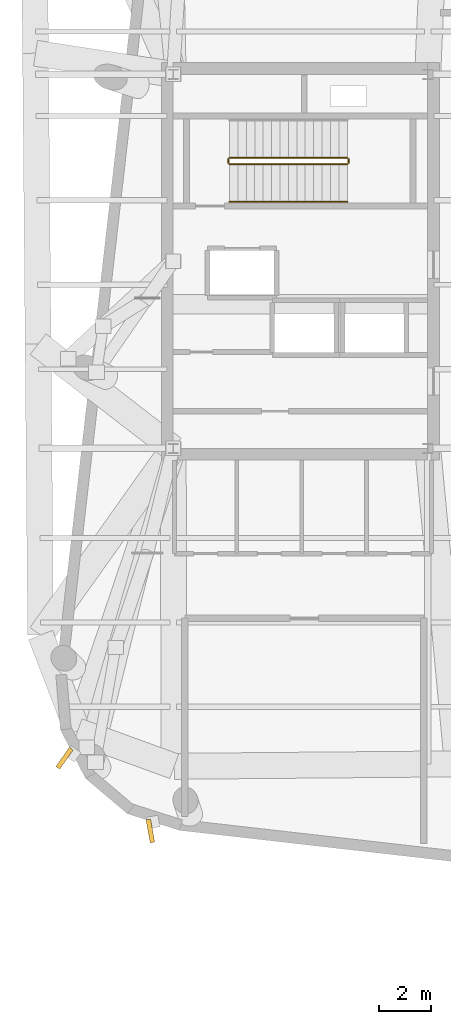
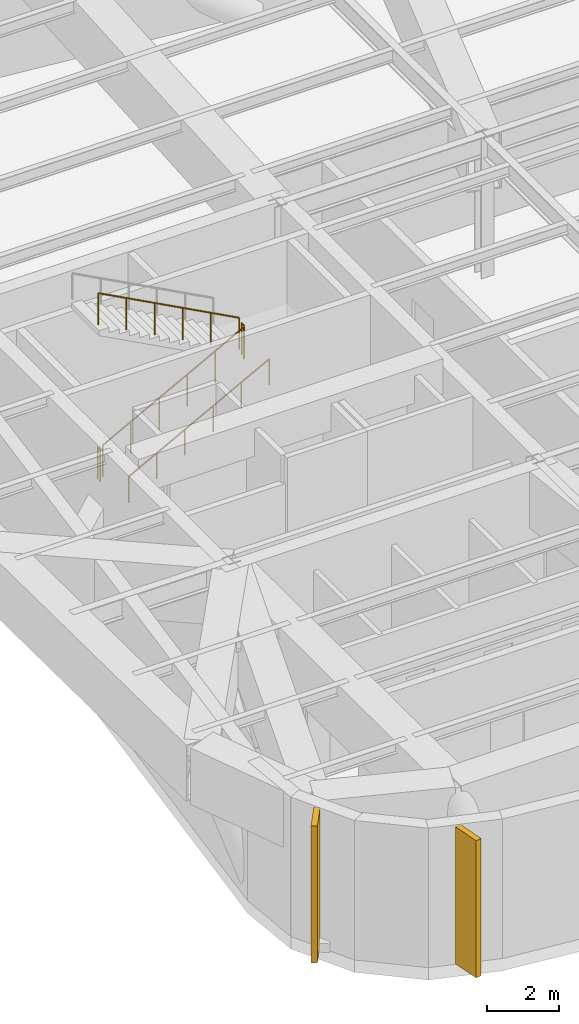
# One storey, part 10 of 12: 5 railings, 2 shading devices.
"""IFC4 building model written with IfcOpenShell, lengths in metres."""

from ifc_helpers import new_model, si_unit, direction, frame, origin, origin_2d, place, context, subcontext, project, spatial, rectangle, circle, extrude, material, type_object, element, save


model = new_model("IFC4")

# Units and contexts
model_context = context("Model", 3, precision=1e-05, world=origin(), true_north=direction((0.0, 1.0)))
body_context = subcontext(model_context, "Body", "Model", "MODEL_VIEW")
ifc_project = project(units=[si_unit("LENGTHUNIT", "METRE"), si_unit("AREAUNIT", "SQUARE_METRE"), si_unit("VOLUMEUNIT", "CUBIC_METRE"), si_unit("PLANEANGLEUNIT", "RADIAN"), si_unit("MASSUNIT", "GRAM", prefix="KILO")], contexts=[model_context])

# Site, building, storey
site_placement = place(None, origin())
site = spatial("IfcSite", under=ifc_project, at=site_placement, CompositionType="ELEMENT")
building_placement = place(site_placement, origin())
building = spatial("IfcBuilding", under=site, at=building_placement, Name="Kolvaren Arena Tower", CompositionType="ELEMENT")
storey_placement = place(building_placement, frame((0.0, 0.0, 269.699951171875)))
storey = spatial("IfcBuildingStorey", under=building, at=storey_placement, Name="L66", CompositionType="ELEMENT", Elevation=269.699951171875)

# Railings
ifc_material_1 = material(Name="Painted galvanized steel", Category="steel")
railing_type_1 = type_object("IfcRailingType", Name="GUARD-ST-110", PredefinedType="GUARDRAIL", material=ifc_material_1)
railing_1_placement = place(storey_placement, frame((16.719970703125, 30.389892578125, 0.17333984375)))
element("IfcRailing", 1, at=railing_1_placement, inside=storey, type_object=railing_type_1, Name="L66 ST-W1 stair guard 1", PredefinedType="GUARDRAIL", context=body_context, shape_type="SweptSolid", body=[
    extrude(circle(Radius=0.02392578125, at=origin_2d()), frame((0.0, 0.0, 1.076171875), z_axis=(0.88174791909, 0.0, 0.471720899664), x_axis=(0.0, 1.0, 0.0)), (0.0, 0.0, 1.0), 5.14453125),
    extrude(circle(Radius=0.02099609375, at=origin_2d()), origin(), (0.0, 0.0, 1.0), 1.052001953125),
    extrude(circle(Radius=0.02099609375, at=origin_2d()), frame((0.9072265625, 0.0, 0.4853515625)), (0.0, 0.0, 1.0), 1.052001953125),
    extrude(circle(Radius=0.02099609375, at=origin_2d()), frame((1.814453125, 0.0, 0.970703125)), (0.0, 0.0, 1.0), 1.052001953125),
    extrude(circle(Radius=0.02099609375, at=origin_2d()), frame((2.7216796875, 0.0, 1.4560546875)), (0.0, 0.0, 1.0), 1.052001953125),
    extrude(circle(Radius=0.02099609375, at=origin_2d()), frame((3.62890625, 0.0, 1.94140625)), (0.0, 0.0, 1.0), 1.052001953125),
    extrude(circle(Radius=0.02099609375, at=origin_2d()), frame((4.5361328125, 0.0, 2.4267578125)), (0.0, 0.0, 1.0), 1.052001953125),
])
railing_2_placement = place(storey_placement, frame((21.305908203125, 30.43994140625, 2.60009765625)))
element("IfcRailing", 2, at=railing_2_placement, inside=storey, type_object=railing_type_1, Name="L66 ST-W1 stair guard 2", PredefinedType="GUARDRAIL", context=body_context, shape_type="SweptSolid", body=[
    extrude(circle(Radius=0.02392578125, at=origin_2d()), frame((0.0, 0.0, 1.076171875), z_axis=(0.0, 1.0, 0.0), x_axis=(-1.0, 0.0, 0.0)), (0.0, 0.0, 1.0), 0.150146484375),
    extrude(circle(Radius=0.02099609375, at=origin_2d()), origin(), (0.0, 0.0, 1.0), 1.052001953125),
    extrude(circle(Radius=0.02099609375, at=origin_2d()), frame((0.0, 0.150146484375, 0.0)), (0.0, 0.0, 1.0), 1.052001953125),
])
railing_3_placement = place(storey_placement, frame((21.256103515625, 30.639892578125, 2.7734375)))
element("IfcRailing", 3, at=railing_3_placement, inside=storey, type_object=railing_type_1, Name="L66 ST-W1 stair guard 3", PredefinedType="GUARDRAIL", context=body_context, shape_type="SweptSolid", body=[
    extrude(circle(Radius=0.02392578125, at=origin_2d()), frame((0.0, 0.0, 1.076171875), z_axis=(-0.881767657903, 0.0, 0.471684001717), x_axis=(0.0, -1.0, 0.0)), (0.0, 0.0, 1.0), 5.144287109375),
    extrude(circle(Radius=0.02099609375, at=origin_2d()), origin(), (0.0, 0.0, 1.0), 1.052001953125),
    extrude(circle(Radius=0.02099609375, at=origin_2d()), frame((-0.9072265625, 0.0, 0.4853515625)), (0.0, 0.0, 1.0), 1.052001953125),
    extrude(circle(Radius=0.02099609375, at=origin_2d()), frame((-1.814453125, 0.0, 0.970703125)), (0.0, 0.0, 1.0), 1.052001953125),
    extrude(circle(Radius=0.02099609375, at=origin_2d()), frame((-2.7216796875, 0.0, 1.455810546875)), (0.0, 0.0, 1.0), 1.052001953125),
    extrude(circle(Radius=0.02099609375, at=origin_2d()), frame((-3.62890625, 0.0, 1.941162109375)), (0.0, 0.0, 1.0), 1.052001953125),
    extrude(circle(Radius=0.02099609375, at=origin_2d()), frame((-4.5361328125, 0.0, 2.426513671875)), (0.0, 0.0, 1.0), 1.052001953125),
])
railing_4_placement = place(storey_placement, frame((16.669921875, 30.43994140625, 0.0)))
element("IfcRailing", 4, at=railing_4_placement, inside=storey, type_object=railing_type_1, Name="L66 ST-W1 stair guard 4", PredefinedType="GUARDRAIL", context=body_context, shape_type="SweptSolid", body=[
    extrude(circle(Radius=0.02392578125, at=origin_2d()), frame((0.0, 0.0, 1.076171875), z_axis=(0.0, 1.0, 0.0), x_axis=(-1.0, 0.0, 0.0)), (0.0, 0.0, 1.0), 0.150146484375),
    extrude(circle(Radius=0.02099609375, at=origin_2d()), origin(), (0.0, 0.0, 1.0), 1.052001953125),
    extrude(circle(Radius=0.02099609375, at=origin_2d()), frame((0.0, 0.150146484375, 0.0)), (0.0, 0.0, 1.0), 1.052001953125),
])
ifc_material_2 = material(Name="Brushed stainless steel handrail", Category="steel")
railing_type_2 = type_object("IfcRailingType", Name="HRAIL-900", PredefinedType="HANDRAIL", material=ifc_material_2)
railing_5_placement = place(storey_placement, frame((16.719970703125, 28.949951171875, 0.17333984375)))
element("IfcRailing", 5, at=railing_5_placement, inside=storey, type_object=railing_type_2, Name="L66 ST-W1 stair handrail 1", PredefinedType="HANDRAIL", context=body_context, shape_type="SweptSolid", body=[
    extrude(circle(Radius=0.02392578125, at=origin_2d()), frame((0.0, 0.0, 0.8759765625), z_axis=(0.88174791909, 0.0, 0.471720899664), x_axis=(0.0, 1.0, 0.0)), (0.0, 0.0, 1.0), 5.14453125),
    extrude(circle(Radius=0.02099609375, at=origin_2d()), origin(), (0.0, 0.0, 1.0), 0.851806640625),
    extrude(circle(Radius=0.02099609375, at=origin_2d()), frame((0.9072265625, 0.0, 0.4853515625)), (0.0, 0.0, 1.0), 0.851806640625),
    extrude(circle(Radius=0.02099609375, at=origin_2d()), frame((1.814453125, 0.0, 0.970703125)), (0.0, 0.0, 1.0), 0.851806640625),
    extrude(circle(Radius=0.02099609375, at=origin_2d()), frame((2.7216796875, 0.0, 1.4560546875)), (0.0, 0.0, 1.0), 0.851806640625),
    extrude(circle(Radius=0.02099609375, at=origin_2d()), frame((3.62890625, 0.0, 1.94140625)), (0.0, 0.0, 1.0), 0.851806640625),
    extrude(circle(Radius=0.02099609375, at=origin_2d()), frame((4.5361328125, 0.0, 2.4267578125)), (0.0, 0.0, 1.0), 0.851806640625),
])

# Shading devices
ifc_material_3 = material(Name="Precast architectural concrete C50/60 rib fin", Category="concrete")
shading_device_type = type_object("IfcShadingDeviceType", Name="SHAD-FIN-28", PredefinedType="USERDEFINED", material=ifc_material_3)
for number, where, z_axis, x_axis, name in (
    (6, (10.369140625, 7.52001953125, 0.02001953125), (0.0, 0.0, 1.0), (-0.569965213199, -0.821668823641, 0.0), "Precast 28-Deg Corner Rib Fin (L66)"),
    (7, (13.67333984375, 4.722900390625, 0.02001953125), (0.0, 0.0, 1.0), (0.177965872603, -0.984036659982, 0.0), "Precast 28-Deg Corner Rib Fin (L66)"),
):
    element("IfcShadingDevice", number, at=place(storey_placement, frame(where, z_axis=z_axis, x_axis=x_axis)), inside=storey, type_object=shading_device_type, Name=name, ObjectType="FIN", PredefinedType="USERDEFINED", context=body_context, shape_type="SweptSolid", body=[
        extrude(rectangle(XDim=0.89990234375, YDim=0.179931640625, at=origin_2d()), origin(), (0.0, 0.0, 1.0), 4.669921875),
    ])

save(model, "model.ifc")
